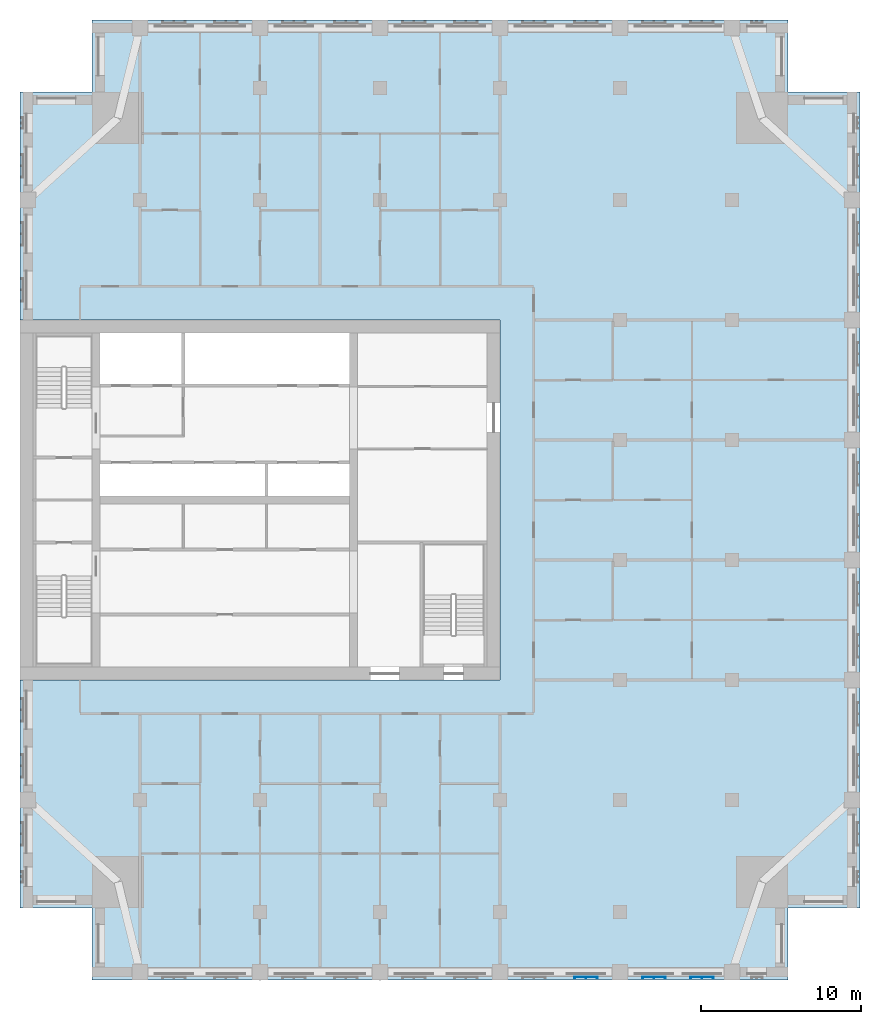
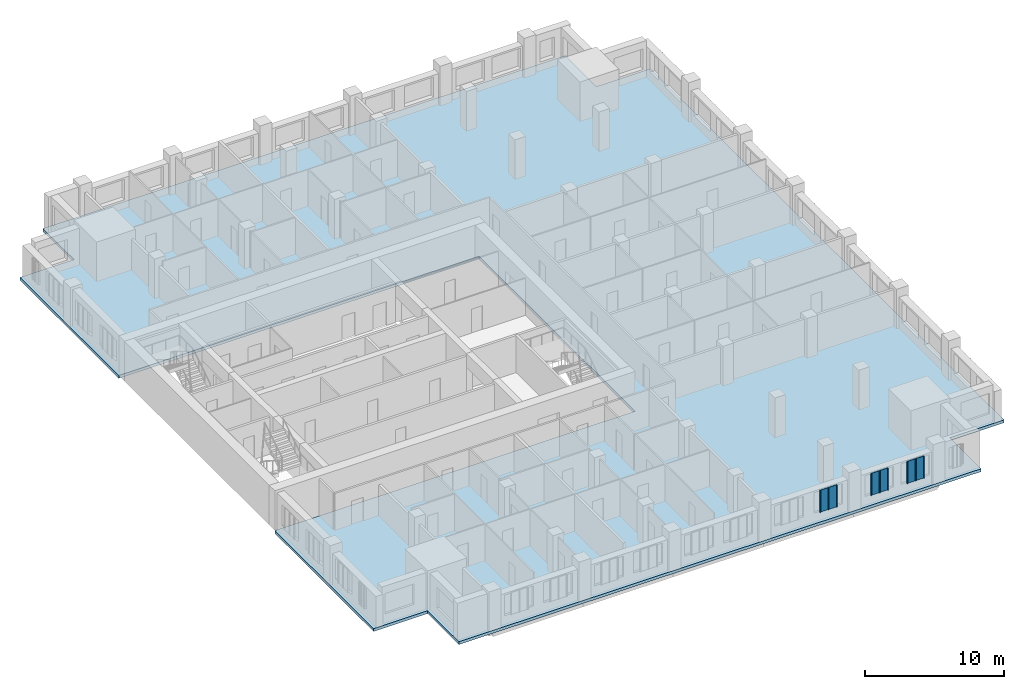
# One storey, part 3 of 14: 3 plates, 1 slab.
"""IFC4 building model written with IfcOpenShell, lengths in metres."""

from ifc_helpers import new_model, si_unit, direction, frame, origin, place, context, subcontext, project, spatial, polyline, outline, extrude, material, layer, layer_set, type_object, element, save


model = new_model("IFC4")

# Units and contexts
model_context = context("Model", 3, precision=1e-05, world=origin(), true_north=direction((0.0, 1.0)))
body_context = subcontext(model_context, "Body", "Model", "MODEL_VIEW")
ifc_project = project(units=[si_unit("LENGTHUNIT", "METRE"), si_unit("AREAUNIT", "SQUARE_METRE"), si_unit("VOLUMEUNIT", "CUBIC_METRE"), si_unit("PLANEANGLEUNIT", "RADIAN"), si_unit("MASSUNIT", "GRAM", prefix="KILO")], contexts=[model_context])

# Site, building, storey
site_placement = place(None, origin())
site = spatial("IfcSite", under=ifc_project, at=site_placement, CompositionType="ELEMENT")
building_placement = place(site_placement, origin())
building = spatial("IfcBuilding", under=site, at=building_placement, Name="Tamorin Gate", CompositionType="ELEMENT")
storey_placement = place(building_placement, frame((0.0, 0.0, 182.699951171875)))
storey = spatial("IfcBuildingStorey", under=building, at=storey_placement, Name="L44", CompositionType="ELEMENT", Elevation=182.699951171875)

# Slab
ifc_material_1 = material(Name="Concrete C40/50", Category="concrete")
ifc_layer_1 = layer(ifc_material_1, 0.25)
ifc_layer_set_1 = layer_set([ifc_layer_1], Name="Floor slab 250 C40/50")
slab_type = type_object("IfcSlabType", Name="Floor slab 250 C40/50", PredefinedType="FLOOR", material=ifc_layer_set_1)
slab_placement = place(storey_placement, frame((0.0, 0.0, -0.25)))
element("IfcSlab", 1, at=slab_placement, inside=storey, type_object=slab_type, Name="Floor L44", PredefinedType="FLOOR", context=body_context, shape_type="SweptSolid", body=[
    extrude(outline(polyline([(30.0, 96.75), (34.5, 96.75), (34.5, 101.25), (78.0, 101.25), (78.0, 96.75), (82.5, 96.75), (82.5, 45.75), (78.0, 45.75), (78.0, 41.25), (34.5, 41.25), (34.5, 45.75), (30.0, 45.75), (30.0, 60.0), (60.0, 60.0), (60.0, 82.5), (30.0, 82.5), (30.0, 96.75)])), origin(), (0.0, 0.0, 1.0), 0.25),
])

# Plates
ifc_material_2 = material(Name="Perforated pale aluminium sheet", Category="aluminium")
ifc_layer_2 = layer(ifc_material_2, 0.0400390625)
ifc_layer_set_2 = layer_set([ifc_layer_2], Name="Pale metal solar screen 1440")
plate_type = type_object("IfcPlateType", Name="Pale metal solar screen 1440", PredefinedType="SHEET", material=ifc_layer_set_2)
plate_1_placement = place(storey_placement, frame((0.0, 0.0, 0.737548828125)))
element("IfcPlate", 2, at=plate_1_placement, inside=storey, type_object=plate_type, Name="Perforated solar screen", PredefinedType="SHEET", context=body_context, shape_type="SweptSolid", body=[
    extrude(outline(polyline([(64.655029296875, 41.409912109375), (64.655029296875, 41.449951171875), (64.715087890625, 41.449951171875), (65.344970703125, 41.449951171875), (65.405029296875, 41.449951171875), (66.034912109375, 41.449951171875), (66.094970703125, 41.449951171875), (66.094970703125, 41.409912109375), (66.094970703125, 41.35009765625), (66.034912109375, 41.35009765625), (66.034912109375, 41.409912109375), (65.405029296875, 41.409912109375), (65.405029296875, 41.35009765625), (65.344970703125, 41.35009765625), (65.344970703125, 41.409912109375), (64.715087890625, 41.409912109375), (64.715087890625, 41.35009765625), (64.655029296875, 41.35009765625), (64.655029296875, 41.409912109375)])), origin(), (0.0, 0.0, 1.0), 1.925048828125),
])
plate_2_placement = place(storey_placement, frame((0.0, 0.0, 0.737548828125)))
element("IfcPlate", 3, at=plate_2_placement, inside=storey, type_object=plate_type, Name="Perforated solar screen", PredefinedType="SHEET", context=body_context, shape_type="SweptSolid", body=[
    extrude(outline(polyline([(68.905029296875, 41.409912109375), (68.905029296875, 41.449951171875), (68.965087890625, 41.449951171875), (69.594970703125, 41.449951171875), (69.655029296875, 41.449951171875), (70.284912109375, 41.449951171875), (70.344970703125, 41.449951171875), (70.344970703125, 41.409912109375), (70.344970703125, 41.35009765625), (70.284912109375, 41.35009765625), (70.284912109375, 41.409912109375), (69.655029296875, 41.409912109375), (69.655029296875, 41.35009765625), (69.594970703125, 41.35009765625), (69.594970703125, 41.409912109375), (68.965087890625, 41.409912109375), (68.965087890625, 41.35009765625), (68.905029296875, 41.35009765625), (68.905029296875, 41.409912109375)])), origin(), (0.0, 0.0, 1.0), 1.925048828125),
])
plate_3_placement = place(storey_placement, frame((0.0, 0.0, 0.737548828125)))
element("IfcPlate", 4, at=plate_3_placement, inside=storey, type_object=plate_type, Name="Perforated solar screen", PredefinedType="SHEET", context=body_context, shape_type="SweptSolid", body=[
    extrude(outline(polyline([(71.905029296875, 41.409912109375), (71.905029296875, 41.449951171875), (71.965087890625, 41.449951171875), (72.594970703125, 41.449951171875), (72.655029296875, 41.449951171875), (73.284912109375, 41.449951171875), (73.344970703125, 41.449951171875), (73.344970703125, 41.409912109375), (73.344970703125, 41.35009765625), (73.284912109375, 41.35009765625), (73.284912109375, 41.409912109375), (72.655029296875, 41.409912109375), (72.655029296875, 41.35009765625), (72.594970703125, 41.35009765625), (72.594970703125, 41.409912109375), (71.965087890625, 41.409912109375), (71.965087890625, 41.35009765625), (71.905029296875, 41.35009765625), (71.905029296875, 41.409912109375)])), origin(), (0.0, 0.0, 1.0), 1.925048828125),
])

save(model, "model.ifc")
